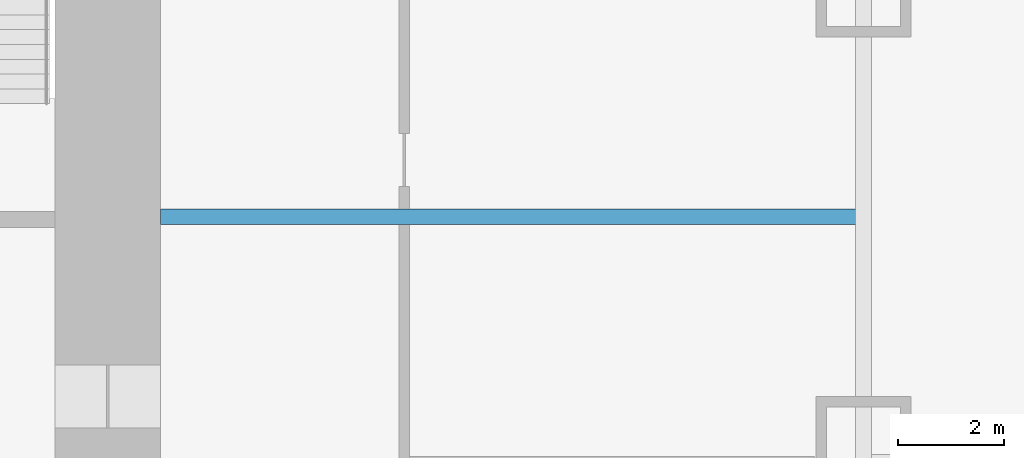
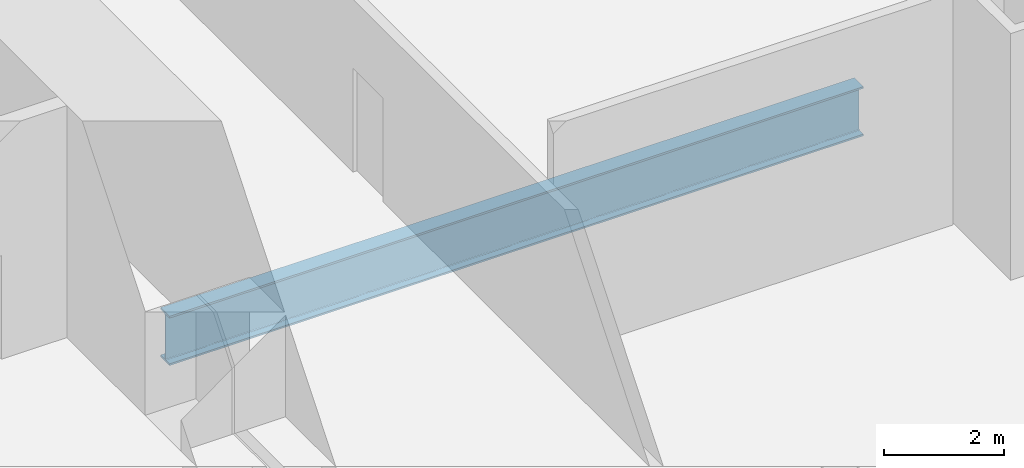
# One storey, part 5 of 24: 1 beam.
"""IFC4 building model written with IfcOpenShell, lengths in metres."""

import ifcopenshell
import ifcopenshell.guid

model = None  # the IFC model being written
_history = None  # IfcOwnerHistory: only IFC2X3 demands one
_inside = {}  # id of a spatial element -> (the spatial element, [elements in it])
_under = {}  # id of a project, library or spatial element -> (it, [spatial elements below it])
_declared = {}  # id of a project -> (the project, [libraries it declares])
_typed = {}  # id of a type object -> (the type object, [elements of that type])
_made_of = {}  # id of a material, layer set ... -> (it, [elements and type objects made of it])


def new_model(schema):
    """Start an empty IFC model of exactly this schema.

    Asked for "IFC4X3", IfcOpenShell would pick the latest addendum, in which some entities
    have other attributes; the version numbers below select the first issue.
    IFC2X3 requires an IfcOwnerHistory on every rooted entity: one is made here for all.
    """
    global model, _history
    if schema == "IFC4X3":
        model = ifcopenshell.file(schema_version=(4, 3, 0, 0))
    else:
        model = ifcopenshell.file(schema=schema)
    _inside.clear()
    _under.clear()
    _declared.clear()
    _typed.clear()
    _made_of.clear()
    _history = None
    if model.schema == "IFC2X3":
        org = make("IfcOrganization", Name="unknown")
        user = make(
            "IfcPersonAndOrganization",
            ThePerson=make("IfcPerson", FamilyName="unknown"),
            TheOrganization=org,
        )
        app = make(
            "IfcApplication",
            ApplicationDeveloper=org,
            Version="unknown",
            ApplicationFullName="unknown",
            ApplicationIdentifier="unknown",
        )
        _history = make(
            "IfcOwnerHistory",
            OwningUser=user,
            OwningApplication=app,
            ChangeAction="ADDED",
            CreationDate=0,
        )
    return model


def make(cls, **values):
    """One entity of the class cls with the attributes given. An attribute that is None is left unset."""
    return model.create_entity(
        cls, **{name: value for name, value in values.items() if value is not None}
    )


def rooted(cls, **values):
    """An entity with a GlobalId (a new one), such as an element, a storey or a relation."""
    return make(cls, GlobalId=ifcopenshell.guid.new(), OwnerHistory=_history, **values)


def si_unit(unit_type, name, prefix=None):
    """IfcSIUnit, for example si_unit("LENGTHUNIT", "METRE", prefix="MILLI")."""
    return make("IfcSIUnit", UnitType=unit_type, Prefix=prefix, Name=name)


def assignment(units):
    """IfcUnitAssignment: the units of a project."""
    return None if units is None else make("IfcUnitAssignment", Units=units)


def point(xyz):
    """IfcCartesianPoint."""
    return None if xyz is None else make("IfcCartesianPoint", Coordinates=xyz)


def direction(xyz):
    """IfcDirection."""
    return None if xyz is None else make("IfcDirection", DirectionRatios=xyz)


def frame(location, z_axis=None, x_axis=None):
    """IfcAxis2Placement3D, a coordinate frame: its origin and axes. An axis left out is left unset."""
    return make(
        "IfcAxis2Placement3D",
        Location=point(location),
        Axis=direction(z_axis),
        RefDirection=direction(x_axis),
    )


def frame_2d(location, x_axis=None):
    """IfcAxis2Placement2D, a coordinate frame in the plane: its origin and x axis."""
    return make(
        "IfcAxis2Placement2D", Location=point(location), RefDirection=direction(x_axis)
    )


def origin():
    """The frame at (0, 0, 0) with its axes left unset."""
    return frame((0.0, 0.0, 0.0))


def origin_2d():
    """The frame at (0, 0) in the plane with its x axis left unset."""
    return frame_2d((0.0, 0.0))


def place(relative_to, where):
    """IfcLocalPlacement: puts the frame where relative to a parent placement (None: the world)."""
    return make(
        "IfcLocalPlacement", PlacementRelTo=relative_to, RelativePlacement=where
    )


def context(
    kind, dimensions, precision=None, world=None, true_north=None, identifier=None
):
    """IfcGeometricRepresentationContext, for example the 3D "Model" context."""
    return make(
        "IfcGeometricRepresentationContext",
        ContextIdentifier=identifier,
        ContextType=kind,
        CoordinateSpaceDimension=dimensions,
        Precision=precision,
        WorldCoordinateSystem=world,
        TrueNorth=true_north,
    )


def subcontext(parent, identifier, kind, view, scale=None):
    """IfcGeometricRepresentationSubContext, for example "Body" below "Model"."""
    return make(
        "IfcGeometricRepresentationSubContext",
        ContextIdentifier=identifier,
        ContextType=kind,
        ParentContext=parent,
        TargetScale=scale,
        TargetView=view,
    )


def project(units=None, contexts=None):
    """IfcProject with its units and contexts."""
    return rooted(
        "IfcProject",
        Name="project",
        RepresentationContexts=contexts,
        UnitsInContext=assignment(units),
    )


def spatial(cls, under=None, at=None, **own):
    """A site, building, storey or space (cls), placed at a placement, below another one or the project."""
    s = rooted(cls, ObjectPlacement=at, **own)
    if under is not None:
        _under.setdefault(under.id(), (under, []))[1].append(s)
    return s


def profile(cls, at=None, kind="AREA", **sizes):
    """A parametric profile (cls). Its sizes go by their IFC names, for example OverallWidth=200.0."""
    return make(cls, ProfileType=kind, Position=at, **sizes)


def i_section(**sizes):
    """IfcIShapeProfileDef."""
    return profile("IfcIShapeProfileDef", **sizes)


def extrude(swept, where, along, depth):
    """IfcExtrudedAreaSolid: the profile swept, set in the frame where, extruded along a direction by depth."""
    return make(
        "IfcExtrudedAreaSolid",
        SweptArea=swept,
        Position=where,
        ExtrudedDirection=direction(along),
        Depth=depth,
    )


def shape(context_of_items, identifier, shape_type, items):
    """IfcShapeRepresentation: the items that make up one representation, for example the "Body"."""
    return make(
        "IfcShapeRepresentation",
        ContextOfItems=context_of_items,
        RepresentationIdentifier=identifier,
        RepresentationType=shape_type,
        Items=items,
    )


def material(Name=None, Category=None):
    """IfcMaterial."""
    return make("IfcMaterial", Name=Name, Category=Category)


def material_profile(
    of_material, cross_section, Name=None, Category=None, Priority=None
):
    """IfcMaterialProfile: a cross section and its material."""
    return make(
        "IfcMaterialProfile",
        Name=Name,
        Material=of_material,
        Profile=cross_section,
        Priority=Priority,
        Category=Category,
    )


def profile_set(profiles, Name=None, composite=None):
    """IfcMaterialProfileSet."""
    return make(
        "IfcMaterialProfileSet",
        Name=Name,
        MaterialProfiles=profiles,
        CompositeProfile=composite,
    )


def made_of(thing, what):
    """Note that an element or type object is made of a material, layer set ...; save() writes the relation."""
    if what is not None:
        _made_of.setdefault(what.id(), (what, []))[1].append(thing)
    return thing


def type_object(cls, material=None, **own):
    """A type object (cls), such as IfcWallType, which elements share."""
    return made_of(rooted(cls, **own), material)


def element(
    cls,
    number,
    at=None,
    inside=None,
    cuts=None,
    type_object=None,
    material=None,
    context=None,
    identifier="Body",
    shape_type=None,
    held_by="IfcProductDefinitionShape",
    body=None,
    shapes=None,
    **own,
):
    """One element of the class cls, such as IfcWall. Its Tag is "e" and its number.

    at: its placement. inside: the storey or other place that contains it. cuts: it is an
    opening in that element (IfcRelVoidsElement). A single representation is given by context,
    identifier, shape_type and body (its items); several are given by shapes. held_by: the class
    of the entity that holds the representations. save() writes the other relations.
    """
    e = rooted(cls, Tag="e%d" % number, ObjectPlacement=at, **own)
    if body is not None:
        shapes = [shape(context, identifier, shape_type, body)]
    if shapes is not None:
        e.Representation = make(held_by, Representations=shapes)
    if inside is not None:
        _inside.setdefault(inside.id(), (inside, []))[1].append(e)
    if cuts is not None:
        rooted(
            "IfcRelVoidsElement", RelatingBuildingElement=cuts, RelatedOpeningElement=e
        )
    if type_object is not None:
        _typed.setdefault(type_object.id(), (type_object, []))[1].append(e)
    return made_of(e, material)


def aggregate(whole, parts):
    """IfcRelAggregates: a whole, such as a stair, and the parts it consists of."""
    return rooted("IfcRelAggregates", RelatingObject=whole, RelatedObjects=parts)


def save(model, path):
    """Write the relations noted so far, then the file.

    IfcRelAggregates (storeys below a building ...), IfcRelContainedInSpatialStructure (elements
    in a storey), IfcRelDefinesByType, IfcRelAssociatesMaterial and IfcRelDeclares: one each for
    every whole, place, type object, material and project.
    """
    for whole, parts in _under.values():
        aggregate(whole, parts)
    for where, things in _inside.values():
        rooted(
            "IfcRelContainedInSpatialStructure",
            RelatedElements=things,
            RelatingStructure=where,
        )
    for kind, things in _typed.values():
        rooted("IfcRelDefinesByType", RelatedObjects=things, RelatingType=kind)
    for what, things in _made_of.values():
        rooted("IfcRelAssociatesMaterial", RelatedObjects=things, RelatingMaterial=what)
    for by, libraries in _declared.values():
        rooted("IfcRelDeclares", RelatingContext=by, RelatedDefinitions=libraries)
    model.write(path)


model = new_model("IFC4")

# Units and contexts
model_context = context("Model", 3, precision=1e-05, world=origin(), true_north=direction((0.0, 1.0)))
body_context = subcontext(model_context, "Body", "Model", "MODEL_VIEW")
ifc_project = project(units=[si_unit("LENGTHUNIT", "METRE"), si_unit("AREAUNIT", "SQUARE_METRE"), si_unit("VOLUMEUNIT", "CUBIC_METRE"), si_unit("PLANEANGLEUNIT", "RADIAN"), si_unit("MASSUNIT", "GRAM", prefix="KILO")], contexts=[model_context])

# Site, building, storey
site_placement = place(None, origin())
site = spatial("IfcSite", under=ifc_project, at=site_placement, CompositionType="ELEMENT")
building_placement = place(site_placement, origin())
building = spatial("IfcBuilding", under=site, at=building_placement, Name="Khuree Lantern Residences", CompositionType="ELEMENT")
storey_placement = place(building_placement, frame((0.0, 0.0, 11.0)))
storey = spatial("IfcBuildingStorey", under=building, at=storey_placement, Name="L02", CompositionType="ELEMENT", Elevation=11.0)

# Beam
ifc_material = material(Name="Steel S355", Category="steel")
ifc_material_profile = material_profile(ifc_material, i_section(OverallWidth=0.300048828125, OverallDepth=1.0, WebThickness=0.01904296875, FlangeThickness=0.035888671875, FilletRadius=0.030029296875, at=origin_2d()), Name="HE 1000 B")
ifc_profile_set = profile_set([ifc_material_profile], Name="Steel S355")
beam_type = type_object("IfcBeamType", Name="B-02 SECONDARY BEAM HE 1000 B", PredefinedType="BEAM", material=ifc_profile_set)
beam_placement = place(storey_placement, frame((29.800048828125, -5.0, -0.800048828125), z_axis=(-1.0, 0.0, 0.0), x_axis=(0.0, -1.0, 0.0)))
element("IfcBeam", 1, at=beam_placement, inside=storey, type_object=beam_type, Name="Secondary beam E4", PredefinedType="BEAM", context=body_context, shape_type="SweptSolid", body=[
    extrude(i_section(OverallWidth=0.300048828125, OverallDepth=1.0, WebThickness=0.01904296875, FlangeThickness=0.035888671875, FilletRadius=0.030029296875, at=origin_2d()), origin(), (0.0, 0.0, 1.0), 13.300048828125),
])

save(model, "model.ifc")
